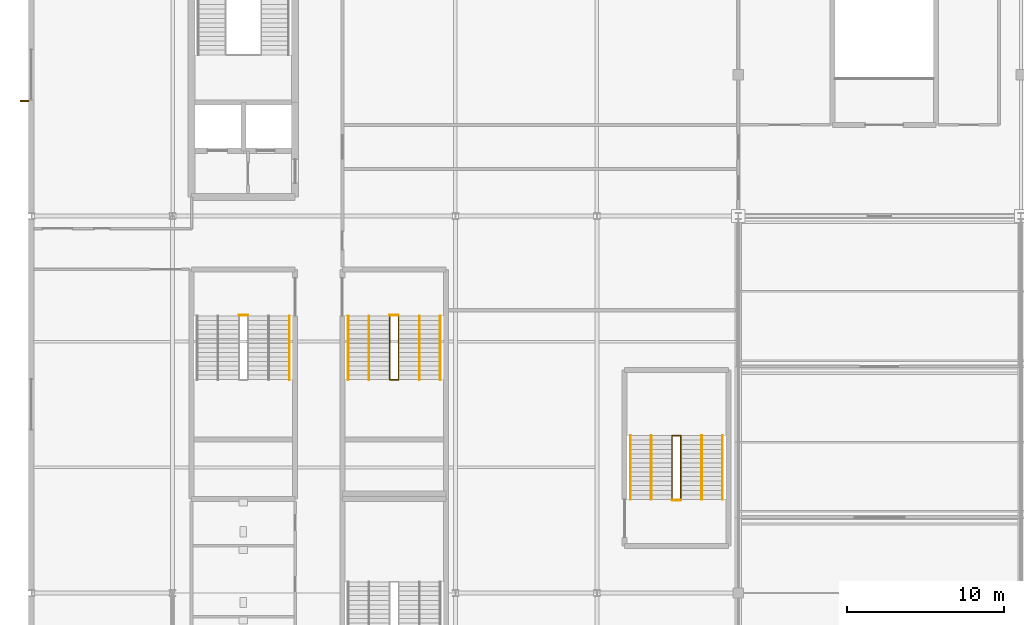
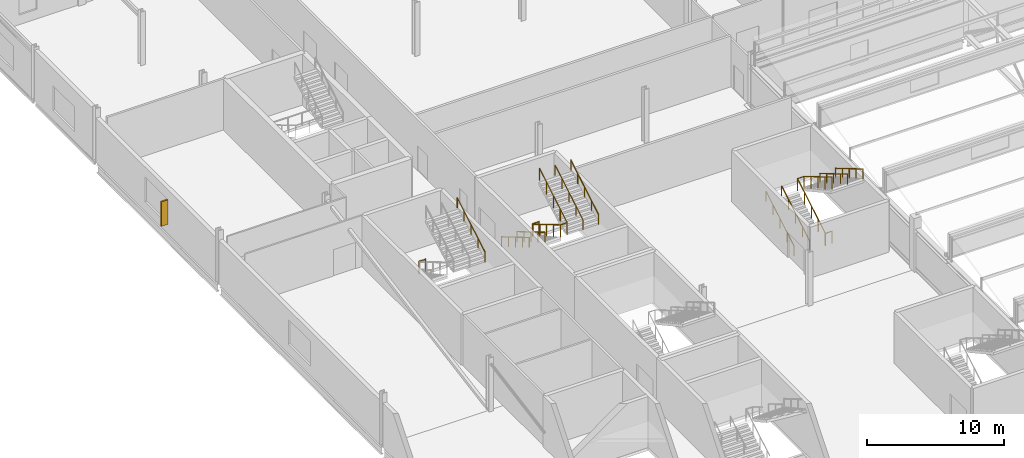
# One storey, part 129 of 136: 14 railings, 1 shading device.
"""IFC4 building model written with IfcOpenShell, lengths in metres."""

from ifc_helpers import new_model, si_unit, direction, frame, origin, origin_2d, place, context, subcontext, project, spatial, rectangle, circle, extrude, material, type_object, element, save


model = new_model("IFC4")

# Units and contexts
model_context = context("Model", 3, precision=1e-05, world=origin(), true_north=direction((0.0, 1.0)))
body_context = subcontext(model_context, "Body", "Model", "MODEL_VIEW")
ifc_project = project(units=[si_unit("LENGTHUNIT", "METRE"), si_unit("AREAUNIT", "SQUARE_METRE"), si_unit("VOLUMEUNIT", "CUBIC_METRE"), si_unit("PLANEANGLEUNIT", "RADIAN"), si_unit("MASSUNIT", "GRAM", prefix="KILO")], contexts=[model_context])

# Site, building, storey
site_placement = place(None, origin())
site = spatial("IfcSite", under=ifc_project, at=site_placement, CompositionType="ELEMENT")
building_placement = place(site_placement, origin())
building = spatial("IfcBuilding", under=site, at=building_placement, Name="Kisiwana Market Hall", CompositionType="ELEMENT")
storey_placement = place(building_placement, frame((0.0, 0.0, 16.800048828125)))
storey = spatial("IfcBuildingStorey", under=building, at=storey_placement, Name="L03", CompositionType="ELEMENT", Elevation=16.800048828125)

# Railings
ifc_material_1 = material(Name="Steel S275", Category="steel")
railing_type_1 = type_object("IfcRailingType", Name="RL-GUARD-1100", PredefinedType="GUARDRAIL", material=ifc_material_1)
railing_1_placement = place(storey_placement, frame((13.219970703125, 77.68994140625, 0.0)))
element("IfcRailing", 1, at=railing_1_placement, inside=storey, type_object=railing_type_1, Name="Stair ST-W4-L03 landing edge guardrail (RL-670)", PredefinedType="GUARDRAIL", context=body_context, shape_type="SweptSolid", body=[
    extrude(circle(Radius=0.02392578125, at=origin_2d()), frame((0.0, 0.0, 1.076171875), z_axis=(1.0, 0.0, 0.0), x_axis=(0.0, 1.0, 0.0)), (0.0, 0.0, 1.0), 0.56005859375),
    extrude(circle(Radius=0.02099609375, at=origin_2d()), origin(), (0.0, 0.0, 1.0), 1.052001953125),
    extrude(circle(Radius=0.02099609375, at=origin_2d()), frame((0.56005859375, 0.0, 0.0)), (0.0, 0.0, 1.0), 1.052001953125),
])
railing_2_placement = place(storey_placement, frame((22.820068359375, 77.639892578125, 0.0)))
element("IfcRailing", 2, at=railing_2_placement, inside=storey, type_object=railing_type_1, Name="Stair ST-W8-L03 inner-well guardrail (RL-695)", PredefinedType="GUARDRAIL", context=body_context, shape_type="SweptSolid", body=[
    extrude(circle(Radius=0.02392578125, at=origin_2d()), frame((0.0, 0.0, 1.076171875), z_axis=(0.0, -0.860840976868, 0.508874063541), x_axis=(1.0, 0.0, 0.0)), (0.0, 0.0, 1.0), 4.716064453125),
    extrude(circle(Radius=0.02392578125, at=origin_2d()), frame((0.0, -4.059814453125, 3.47607421875), z_axis=(1.0, 0.0, 0.0), x_axis=(0.0, 1.0, 0.0)), (0.0, 0.0, 1.0), 0.559814453125),
    extrude(circle(Radius=0.02392578125, at=origin_2d()), frame((0.559814453125, -4.059814453125, 3.47607421875), z_axis=(0.0, 0.860818299379, 0.50891242415), x_axis=(-1.0, 0.0, 0.0)), (0.0, 0.0, 1.0), 4.71630859375),
    extrude(circle(Radius=0.02099609375, at=origin_2d()), origin(), (0.0, 0.0, 1.0), 1.052001953125),
    extrude(circle(Radius=0.02099609375, at=origin_2d()), frame((0.0, -1.014892578125, 0.60009765625)), (0.0, 0.0, 1.0), 1.052001953125),
    extrude(circle(Radius=0.02099609375, at=origin_2d()), frame((0.0, -2.02978515625, 1.199951171875)), (0.0, 0.0, 1.0), 1.052001953125),
    extrude(circle(Radius=0.02099609375, at=origin_2d()), frame((0.0, -3.044921875, 1.7998046875)), (0.0, 0.0, 1.0), 1.052001953125),
    extrude(circle(Radius=0.02099609375, at=origin_2d()), frame((0.0, -4.059814453125, 2.39990234375)), (0.0, 0.0, 1.0), 1.052001953125),
    extrude(circle(Radius=0.02099609375, at=origin_2d()), frame((0.559814453125, -4.059814453125, 2.39990234375)), (0.0, 0.0, 1.0), 1.052001953125),
    extrude(circle(Radius=0.02099609375, at=origin_2d()), frame((0.559814453125, -3.044921875, 3.0)), (0.0, 0.0, 1.0), 1.052001953125),
    extrude(circle(Radius=0.02099609375, at=origin_2d()), frame((0.559814453125, -2.02978515625, 3.60009765625)), (0.0, 0.0, 1.0), 1.052001953125),
    extrude(circle(Radius=0.02099609375, at=origin_2d()), frame((0.559814453125, -1.014892578125, 4.199951171875)), (0.0, 0.0, 1.0), 1.052001953125),
    extrude(circle(Radius=0.02099609375, at=origin_2d()), frame((0.559814453125, 0.0, 4.800048828125)), (0.0, 0.0, 1.0), 1.052001953125),
])
railing_3_placement = place(storey_placement, frame((22.820068359375, 77.68994140625, 0.0)))
element("IfcRailing", 3, at=railing_3_placement, inside=storey, type_object=railing_type_1, Name="Stair ST-W8-L03 landing edge guardrail (RL-700)", PredefinedType="GUARDRAIL", context=body_context, shape_type="SweptSolid", body=[
    extrude(circle(Radius=0.02392578125, at=origin_2d()), frame((0.0, 0.0, 1.076171875), z_axis=(1.0, 0.0, 0.0), x_axis=(0.0, 1.0, 0.0)), (0.0, 0.0, 1.0), 0.559814453125),
    extrude(circle(Radius=0.02099609375, at=origin_2d()), origin(), (0.0, 0.0, 1.0), 1.052001953125),
    extrude(circle(Radius=0.02099609375, at=origin_2d()), frame((0.559814453125, 0.0, 0.0)), (0.0, 0.0, 1.0), 1.052001953125),
])
railing_4_placement = place(storey_placement, frame((40.7900390625, 65.9599609375, 0.0)))
element("IfcRailing", 4, at=railing_4_placement, inside=storey, type_object=railing_type_1, Name="Stair ST-W10-L03 inner-well guardrail (RL-719)", PredefinedType="GUARDRAIL", context=body_context, shape_type="SweptSolid", body=[
    extrude(circle(Radius=0.02392578125, at=origin_2d()), frame((0.0, 0.0, 1.076171875), z_axis=(0.0, 0.8608543813, 0.508851387142), x_axis=(-1.0, 0.0, 0.0)), (0.0, 0.0, 1.0), 4.71630859375),
    extrude(circle(Radius=0.02392578125, at=origin_2d()), frame((0.0, 4.06005859375, 3.47607421875), z_axis=(1.0, 0.0, 0.0), x_axis=(0.0, 1.0, 0.0)), (0.0, 0.0, 1.0), 0.56005859375),
    extrude(circle(Radius=0.02392578125, at=origin_2d()), frame((0.56005859375, 4.06005859375, 3.47607421875), z_axis=(0.0, -0.860831705478, 0.508889747237), x_axis=(1.0, 0.0, 0.0)), (0.0, 0.0, 1.0), 4.716552734375),
    extrude(circle(Radius=0.02099609375, at=origin_2d()), origin(), (0.0, 0.0, 1.0), 1.052001953125),
    extrude(circle(Radius=0.02099609375, at=origin_2d()), frame((0.0, 1.01513671875, 0.60009765625)), (0.0, 0.0, 1.0), 1.052001953125),
    extrude(circle(Radius=0.02099609375, at=origin_2d()), frame((0.0, 2.030029296875, 1.199951171875)), (0.0, 0.0, 1.0), 1.052001953125),
    extrude(circle(Radius=0.02099609375, at=origin_2d()), frame((0.0, 3.044921875, 1.7998046875)), (0.0, 0.0, 1.0), 1.052001953125),
    extrude(circle(Radius=0.02099609375, at=origin_2d()), frame((0.0, 4.06005859375, 2.39990234375)), (0.0, 0.0, 1.0), 1.052001953125),
    extrude(circle(Radius=0.02099609375, at=origin_2d()), frame((0.56005859375, 4.06005859375, 2.39990234375)), (0.0, 0.0, 1.0), 1.052001953125),
    extrude(circle(Radius=0.02099609375, at=origin_2d()), frame((0.56005859375, 3.044921875, 3.0)), (0.0, 0.0, 1.0), 1.052001953125),
    extrude(circle(Radius=0.02099609375, at=origin_2d()), frame((0.56005859375, 2.030029296875, 3.60009765625)), (0.0, 0.0, 1.0), 1.052001953125),
    extrude(circle(Radius=0.02099609375, at=origin_2d()), frame((0.56005859375, 1.01513671875, 4.199951171875)), (0.0, 0.0, 1.0), 1.052001953125),
    extrude(circle(Radius=0.02099609375, at=origin_2d()), frame((0.56005859375, 0.0, 4.800048828125)), (0.0, 0.0, 1.0), 1.052001953125),
])
railing_5_placement = place(storey_placement, frame((40.7900390625, 65.909912109375, 0.0)))
element("IfcRailing", 5, at=railing_5_placement, inside=storey, type_object=railing_type_1, Name="Stair ST-W10-L03 landing edge guardrail (RL-724)", PredefinedType="GUARDRAIL", context=body_context, shape_type="SweptSolid", body=[
    extrude(circle(Radius=0.02392578125, at=origin_2d()), frame((0.0, 0.0, 1.076171875), z_axis=(1.0, 0.0, 0.0), x_axis=(0.0, 1.0, 0.0)), (0.0, 0.0, 1.0), 0.56005859375),
    extrude(circle(Radius=0.02099609375, at=origin_2d()), origin(), (0.0, 0.0, 1.0), 1.052001953125),
    extrude(circle(Radius=0.02099609375, at=origin_2d()), frame((0.56005859375, 0.0, 0.0)), (0.0, 0.0, 1.0), 1.052001953125),
])
ifc_material_2 = material(Name="Steel S275", Category="steel")
railing_type_2 = type_object("IfcRailingType", Name="RL-HAND-900", PredefinedType="HANDRAIL", material=ifc_material_2)
railing_6_placement = place(storey_placement, frame((16.429931640625, 73.580078125, 2.39990234375)))
element("IfcRailing", 6, at=railing_6_placement, inside=storey, type_object=railing_type_2, Name="Stair ST-W4-L03 flight 2 handrail (RL-667)", PredefinedType="HANDRAIL", context=body_context, shape_type="SweptSolid", body=[
    extrude(circle(Radius=0.02392578125, at=origin_2d()), frame((0.0, 0.0, 0.8759765625), z_axis=(0.0, 0.860818299379, 0.50891242415), x_axis=(-1.0, 0.0, 0.0)), (0.0, 0.0, 1.0), 4.71630859375),
    extrude(circle(Radius=0.02099609375, at=origin_2d()), origin(), (0.0, 0.0, 1.0), 0.851806640625),
    extrude(circle(Radius=0.02099609375, at=origin_2d()), frame((0.0, 1.014892578125, 0.60009765625)), (0.0, 0.0, 1.0), 0.851806640625),
    extrude(circle(Radius=0.02099609375, at=origin_2d()), frame((0.0, 2.02978515625, 1.2001953125)), (0.0, 0.0, 1.0), 0.851806640625),
    extrude(circle(Radius=0.02099609375, at=origin_2d()), frame((0.0, 3.044921875, 1.800048828125)), (0.0, 0.0, 1.0), 0.851806640625),
    extrude(circle(Radius=0.02099609375, at=origin_2d()), frame((0.0, 4.059814453125, 2.400146484375)), (0.0, 0.0, 1.0), 0.851806640625),
])
railing_7_placement = place(storey_placement, frame((20.169921875, 77.639892578125, 0.0)))
element("IfcRailing", 7, at=railing_7_placement, inside=storey, type_object=railing_type_2, Name="Stair ST-W8-L03 flight 1 handrail (RL-696)", PredefinedType="HANDRAIL", context=body_context, shape_type="SweptSolid", body=[
    extrude(circle(Radius=0.02392578125, at=origin_2d()), frame((0.0, 0.0, 0.8759765625), z_axis=(0.0, -0.860840976868, 0.508874063541), x_axis=(1.0, 0.0, 0.0)), (0.0, 0.0, 1.0), 4.716064453125),
    extrude(circle(Radius=0.02099609375, at=origin_2d()), origin(), (0.0, 0.0, 1.0), 0.851806640625),
    extrude(circle(Radius=0.02099609375, at=origin_2d()), frame((0.0, -1.014892578125, 0.60009765625)), (0.0, 0.0, 1.0), 0.851806640625),
    extrude(circle(Radius=0.02099609375, at=origin_2d()), frame((0.0, -2.02978515625, 1.199951171875)), (0.0, 0.0, 1.0), 0.851806640625),
    extrude(circle(Radius=0.02099609375, at=origin_2d()), frame((0.0, -3.044921875, 1.7998046875)), (0.0, 0.0, 1.0), 0.851806640625),
    extrude(circle(Radius=0.02099609375, at=origin_2d()), frame((0.0, -4.059814453125, 2.39990234375)), (0.0, 0.0, 1.0), 0.851806640625),
])
railing_8_placement = place(storey_placement, frame((26.030029296875, 73.580078125, 2.39990234375)))
element("IfcRailing", 8, at=railing_8_placement, inside=storey, type_object=railing_type_2, Name="Stair ST-W8-L03 flight 2 handrail (RL-697)", PredefinedType="HANDRAIL", context=body_context, shape_type="SweptSolid", body=[
    extrude(circle(Radius=0.02392578125, at=origin_2d()), frame((0.0, 0.0, 0.8759765625), z_axis=(0.0, 0.860818299379, 0.50891242415), x_axis=(-1.0, 0.0, 0.0)), (0.0, 0.0, 1.0), 4.71630859375),
    extrude(circle(Radius=0.02099609375, at=origin_2d()), origin(), (0.0, 0.0, 1.0), 0.851806640625),
    extrude(circle(Radius=0.02099609375, at=origin_2d()), frame((0.0, 1.014892578125, 0.60009765625)), (0.0, 0.0, 1.0), 0.851806640625),
    extrude(circle(Radius=0.02099609375, at=origin_2d()), frame((0.0, 2.02978515625, 1.2001953125)), (0.0, 0.0, 1.0), 0.851806640625),
    extrude(circle(Radius=0.02099609375, at=origin_2d()), frame((0.0, 3.044921875, 1.800048828125)), (0.0, 0.0, 1.0), 0.851806640625),
    extrude(circle(Radius=0.02099609375, at=origin_2d()), frame((0.0, 4.059814453125, 2.400146484375)), (0.0, 0.0, 1.0), 0.851806640625),
])
railing_9_placement = place(storey_placement, frame((21.489990234375, 77.639892578125, 0.0)))
element("IfcRailing", 9, at=railing_9_placement, inside=storey, type_object=railing_type_2, Name="Stair ST-W8-L03 flight 1 intermediate handrail (RL-698)", PredefinedType="HANDRAIL", context=body_context, shape_type="SweptSolid", body=[
    extrude(circle(Radius=0.02392578125, at=origin_2d()), frame((0.0, 0.0, 0.8759765625), z_axis=(0.0, -0.860840976868, 0.508874063541), x_axis=(1.0, 0.0, 0.0)), (0.0, 0.0, 1.0), 4.716064453125),
    extrude(circle(Radius=0.02099609375, at=origin_2d()), origin(), (0.0, 0.0, 1.0), 0.851806640625),
    extrude(circle(Radius=0.02099609375, at=origin_2d()), frame((0.0, -1.014892578125, 0.60009765625)), (0.0, 0.0, 1.0), 0.851806640625),
    extrude(circle(Radius=0.02099609375, at=origin_2d()), frame((0.0, -2.02978515625, 1.199951171875)), (0.0, 0.0, 1.0), 0.851806640625),
    extrude(circle(Radius=0.02099609375, at=origin_2d()), frame((0.0, -3.044921875, 1.7998046875)), (0.0, 0.0, 1.0), 0.851806640625),
    extrude(circle(Radius=0.02099609375, at=origin_2d()), frame((0.0, -4.059814453125, 2.39990234375)), (0.0, 0.0, 1.0), 0.851806640625),
])
railing_10_placement = place(storey_placement, frame((24.7099609375, 73.580078125, 2.39990234375)))
element("IfcRailing", 10, at=railing_10_placement, inside=storey, type_object=railing_type_2, Name="Stair ST-W8-L03 flight 2 intermediate handrail (RL-699)", PredefinedType="HANDRAIL", context=body_context, shape_type="SweptSolid", body=[
    extrude(circle(Radius=0.02392578125, at=origin_2d()), frame((0.0, 0.0, 0.8759765625), z_axis=(0.0, 0.860818299379, 0.50891242415), x_axis=(-1.0, 0.0, 0.0)), (0.0, 0.0, 1.0), 4.71630859375),
    extrude(circle(Radius=0.02099609375, at=origin_2d()), origin(), (0.0, 0.0, 1.0), 0.851806640625),
    extrude(circle(Radius=0.02099609375, at=origin_2d()), frame((0.0, 1.014892578125, 0.60009765625)), (0.0, 0.0, 1.0), 0.851806640625),
    extrude(circle(Radius=0.02099609375, at=origin_2d()), frame((0.0, 2.02978515625, 1.2001953125)), (0.0, 0.0, 1.0), 0.851806640625),
    extrude(circle(Radius=0.02099609375, at=origin_2d()), frame((0.0, 3.044921875, 1.800048828125)), (0.0, 0.0, 1.0), 0.851806640625),
    extrude(circle(Radius=0.02099609375, at=origin_2d()), frame((0.0, 4.059814453125, 2.400146484375)), (0.0, 0.0, 1.0), 0.851806640625),
])
railing_11_placement = place(storey_placement, frame((38.139892578125, 65.9599609375, 0.0)))
element("IfcRailing", 11, at=railing_11_placement, inside=storey, type_object=railing_type_2, Name="Stair ST-W10-L03 flight 1 handrail (RL-720)", PredefinedType="HANDRAIL", context=body_context, shape_type="SweptSolid", body=[
    extrude(circle(Radius=0.02392578125, at=origin_2d()), frame((0.0, 0.0, 0.8759765625), z_axis=(0.0, 0.8608543813, 0.508851387142), x_axis=(-1.0, 0.0, 0.0)), (0.0, 0.0, 1.0), 4.71630859375),
    extrude(circle(Radius=0.02099609375, at=origin_2d()), origin(), (0.0, 0.0, 1.0), 0.851806640625),
    extrude(circle(Radius=0.02099609375, at=origin_2d()), frame((0.0, 1.01513671875, 0.60009765625)), (0.0, 0.0, 1.0), 0.851806640625),
    extrude(circle(Radius=0.02099609375, at=origin_2d()), frame((0.0, 2.030029296875, 1.199951171875)), (0.0, 0.0, 1.0), 0.851806640625),
    extrude(circle(Radius=0.02099609375, at=origin_2d()), frame((0.0, 3.044921875, 1.7998046875)), (0.0, 0.0, 1.0), 0.851806640625),
    extrude(circle(Radius=0.02099609375, at=origin_2d()), frame((0.0, 4.06005859375, 2.39990234375)), (0.0, 0.0, 1.0), 0.851806640625),
])
railing_12_placement = place(storey_placement, frame((44.0, 70.02001953125, 2.39990234375)))
element("IfcRailing", 12, at=railing_12_placement, inside=storey, type_object=railing_type_2, Name="Stair ST-W10-L03 flight 2 handrail (RL-721)", PredefinedType="HANDRAIL", context=body_context, shape_type="SweptSolid", body=[
    extrude(circle(Radius=0.02392578125, at=origin_2d()), frame((0.0, 0.0, 0.8759765625), z_axis=(0.0, -0.860831705478, 0.508889747237), x_axis=(1.0, 0.0, 0.0)), (0.0, 0.0, 1.0), 4.716552734375),
    extrude(circle(Radius=0.02099609375, at=origin_2d()), origin(), (0.0, 0.0, 1.0), 0.851806640625),
    extrude(circle(Radius=0.02099609375, at=origin_2d()), frame((0.0, -1.01513671875, 0.60009765625)), (0.0, 0.0, 1.0), 0.851806640625),
    extrude(circle(Radius=0.02099609375, at=origin_2d()), frame((0.0, -2.030029296875, 1.2001953125)), (0.0, 0.0, 1.0), 0.851806640625),
    extrude(circle(Radius=0.02099609375, at=origin_2d()), frame((0.0, -3.044921875, 1.800048828125)), (0.0, 0.0, 1.0), 0.851806640625),
    extrude(circle(Radius=0.02099609375, at=origin_2d()), frame((0.0, -4.06005859375, 2.400146484375)), (0.0, 0.0, 1.0), 0.851806640625),
])
railing_13_placement = place(storey_placement, frame((39.4599609375, 65.9599609375, 0.0)))
element("IfcRailing", 13, at=railing_13_placement, inside=storey, type_object=railing_type_2, Name="Stair ST-W10-L03 flight 1 intermediate handrail (RL-722)", PredefinedType="HANDRAIL", context=body_context, shape_type="SweptSolid", body=[
    extrude(circle(Radius=0.02392578125, at=origin_2d()), frame((0.0, 0.0, 0.8759765625), z_axis=(0.0, 0.8608543813, 0.508851387142), x_axis=(-1.0, 0.0, 0.0)), (0.0, 0.0, 1.0), 4.71630859375),
    extrude(circle(Radius=0.02099609375, at=origin_2d()), origin(), (0.0, 0.0, 1.0), 0.851806640625),
    extrude(circle(Radius=0.02099609375, at=origin_2d()), frame((0.0, 1.01513671875, 0.60009765625)), (0.0, 0.0, 1.0), 0.851806640625),
    extrude(circle(Radius=0.02099609375, at=origin_2d()), frame((0.0, 2.030029296875, 1.199951171875)), (0.0, 0.0, 1.0), 0.851806640625),
    extrude(circle(Radius=0.02099609375, at=origin_2d()), frame((0.0, 3.044921875, 1.7998046875)), (0.0, 0.0, 1.0), 0.851806640625),
    extrude(circle(Radius=0.02099609375, at=origin_2d()), frame((0.0, 4.06005859375, 2.39990234375)), (0.0, 0.0, 1.0), 0.851806640625),
])
railing_14_placement = place(storey_placement, frame((42.679931640625, 70.02001953125, 2.39990234375)))
element("IfcRailing", 14, at=railing_14_placement, inside=storey, type_object=railing_type_2, Name="Stair ST-W10-L03 flight 2 intermediate handrail (RL-723)", PredefinedType="HANDRAIL", context=body_context, shape_type="SweptSolid", body=[
    extrude(circle(Radius=0.02392578125, at=origin_2d()), frame((0.0, 0.0, 0.8759765625), z_axis=(0.0, -0.860831705478, 0.508889747237), x_axis=(1.0, 0.0, 0.0)), (0.0, 0.0, 1.0), 4.716552734375),
    extrude(circle(Radius=0.02099609375, at=origin_2d()), origin(), (0.0, 0.0, 1.0), 0.851806640625),
    extrude(circle(Radius=0.02099609375, at=origin_2d()), frame((0.0, -1.01513671875, 0.60009765625)), (0.0, 0.0, 1.0), 0.851806640625),
    extrude(circle(Radius=0.02099609375, at=origin_2d()), frame((0.0, -2.030029296875, 1.2001953125)), (0.0, 0.0, 1.0), 0.851806640625),
    extrude(circle(Radius=0.02099609375, at=origin_2d()), frame((0.0, -3.044921875, 1.800048828125)), (0.0, 0.0, 1.0), 0.851806640625),
    extrude(circle(Radius=0.02099609375, at=origin_2d()), frame((0.0, -4.06005859375, 2.400146484375)), (0.0, 0.0, 1.0), 0.851806640625),
])

# Shading device
ifc_material_3 = material(Name="Aluminium alloy 6063-T6", Category="aluminium")
shading_device_type = type_object("IfcShadingDeviceType", Name="SHD-SHUTTER-V", PredefinedType="SHUTTER", material=ifc_material_3)
shading_device_placement = place(storey_placement, frame((-0.445068359375, 91.320068359375, 0.85009765625), z_axis=(0.0, 0.0, 1.0), x_axis=(0.0, 1.0, 0.0)))
element("IfcShadingDevice", 15, at=shading_device_placement, inside=storey, type_object=shading_device_type, Name="Vertical solar fin SHD-064 SD-064", PredefinedType="SHUTTER", context=body_context, shape_type="SweptSolid", body=[
    extrude(rectangle(XDim=0.1201171875, YDim=0.550048828125, at=origin_2d()), origin(), (0.0, 0.0, 1.0), 2.199951171875),
])

save(model, "model.ifc")
